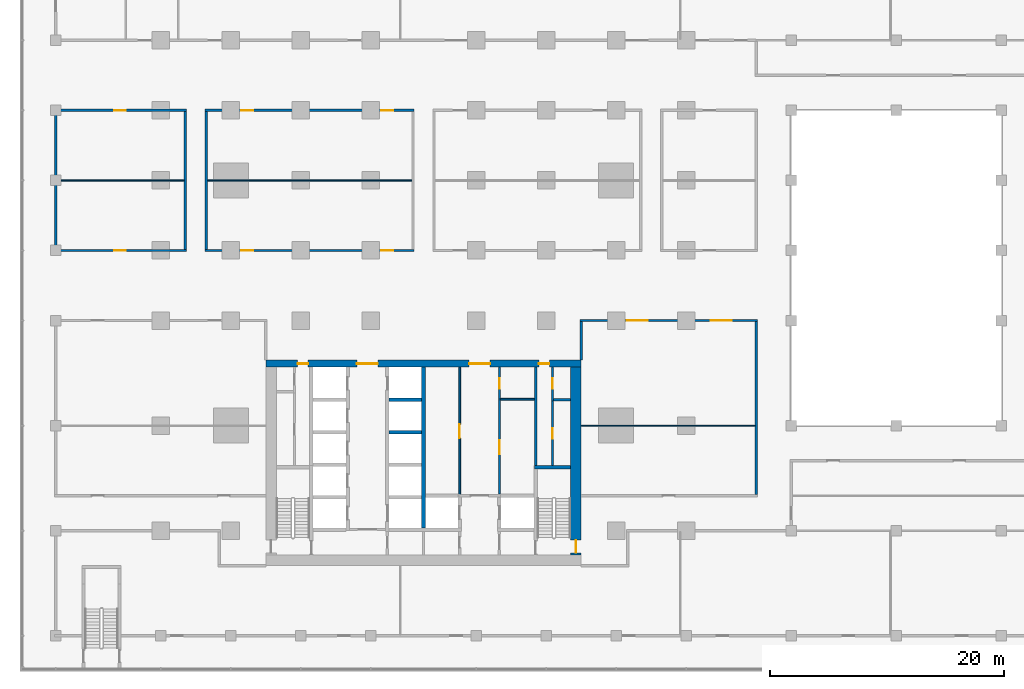
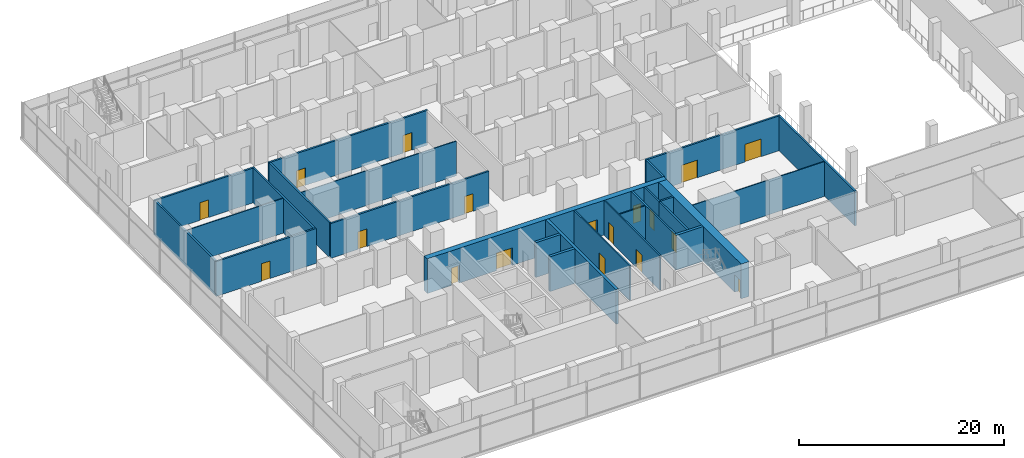
# One storey, part 15 of 22: 26 walls, 18 doors, 18 openings.
"""IFC4 building model written with IfcOpenShell, lengths in metres."""

from ifc_helpers import new_model, si_unit, direction, frame, frame_2d, origin, place, context, subcontext, project, spatial, rectangle, extrude, material, layer, layer_set, type_object, element, fill, save


model = new_model("IFC4")

# Units and contexts
model_context = context("Model", 3, precision=1e-05, world=origin(), true_north=direction((0.0, 1.0)))
body_context = subcontext(model_context, "Body", "Model", "MODEL_VIEW")
ifc_project = project(units=[si_unit("LENGTHUNIT", "METRE"), si_unit("AREAUNIT", "SQUARE_METRE"), si_unit("VOLUMEUNIT", "CUBIC_METRE"), si_unit("PLANEANGLEUNIT", "RADIAN"), si_unit("MASSUNIT", "GRAM", prefix="KILO")], contexts=[model_context])

# Site, building, storey
site_placement = place(None, origin())
site = spatial("IfcSite", under=ifc_project, at=site_placement, CompositionType="ELEMENT")
building_placement = place(site_placement, origin())
building = spatial("IfcBuilding", under=site, at=building_placement, Name="Finial Court Residences", CompositionType="ELEMENT")
storey_placement = place(building_placement, frame((0.0, 0.0, 23.5)))
storey = spatial("IfcBuildingStorey", under=building, at=storey_placement, Name="L04", CompositionType="ELEMENT", Elevation=23.5)

# Wall, openings, doors
ifc_material_1 = material(Name="Concrete C80/95", Category="concrete")
ifc_layer_1 = layer(ifc_material_1, 0.60009765625)
ifc_layer_set_1 = layer_set([ifc_layer_1], Name="Core outer wall 600 Concrete C80/95")
wall_type_1 = type_object("IfcWallType", Name="Core outer wall 600 Concrete C80/95", PredefinedType="SHEAR", material=ifc_layer_set_1)
wall_1_placement = place(storey_placement, frame((-13.5, -8.199951171875, 0.0), z_axis=(0.0, 0.0, 1.0), x_axis=(1.0, 0.0, 0.0)))
wall_1 = element("IfcWall", 1, at=wall_1_placement, inside=storey, type_object=wall_type_1, Name="Core outer wall L04-02", PredefinedType="SHEAR", context=body_context, shape_type="SweptSolid", body=[
    extrude(rectangle(XDim=27.0, YDim=0.60009765625, at=frame_2d((13.5, 0.0))), origin(), (0.0, 0.0, 1.0), 4.14990234375),
])
opening_1_placement = place(wall_1_placement, frame((7.800048828125, 0.0, 0.0)))
opening_1 = element("IfcOpeningElement", 2, at=opening_1_placement, cuts=wall_1, Name="Opening L04-C04", PredefinedType="OPENING", context=body_context, shape_type="SweptSolid", body=[
    extrude(rectangle(XDim=1.800048828125, YDim=2.10009765625, at=frame_2d((0.89990234375, 1.050048828125))), frame((0.0, 0.31005859375, 0.0), z_axis=(0.0, -1.0, 0.0), x_axis=(1.0, 0.0, 0.0)), (0.0, 0.0, 1.0), 0.6201171875),
])
opening_2_placement = place(wall_1_placement, frame((17.39990234375, 0.0, 0.0)))
opening_2 = element("IfcOpeningElement", 3, at=opening_2_placement, cuts=wall_1, Name="Opening L04-C05", PredefinedType="OPENING", context=body_context, shape_type="SweptSolid", body=[
    extrude(rectangle(XDim=1.800048828125, YDim=2.10009765625, at=frame_2d((0.89990234375, 1.050048828125))), frame((0.0, 0.31005859375, 0.0), z_axis=(0.0, -1.0, 0.0), x_axis=(1.0, 0.0, 0.0)), (0.0, 0.0, 1.0), 0.6201171875),
])
opening_3_placement = place(wall_1_placement, frame((2.72509765625, 0.0, 0.0)))
opening_3 = element("IfcOpeningElement", 4, at=opening_3_placement, cuts=wall_1, Name="Opening L04-C09", PredefinedType="OPENING", context=body_context, shape_type="SweptSolid", body=[
    extrude(rectangle(XDim=0.89990234375, YDim=2.10009765625, at=frame_2d((0.449951171875, 1.050048828125))), frame((0.0, 0.31005859375, 0.0), z_axis=(0.0, -1.0, 0.0), x_axis=(1.0, 0.0, 0.0)), (0.0, 0.0, 1.0), 0.6201171875),
])
opening_4_placement = place(wall_1_placement, frame((23.375, 0.0, 0.0)))
opening_4 = element("IfcOpeningElement", 5, at=opening_4_placement, cuts=wall_1, Name="Opening L04-C10", PredefinedType="OPENING", context=body_context, shape_type="SweptSolid", body=[
    extrude(rectangle(XDim=0.89990234375, YDim=2.10009765625, at=frame_2d((0.449951171875, 1.050048828125))), frame((0.0, 0.31005859375, 0.0), z_axis=(0.0, -1.0, 0.0), x_axis=(1.0, 0.0, 0.0)), (0.0, 0.0, 1.0), 0.6201171875),
])
ifc_material_2 = material(Name="Steel fire door", Category="steel")
door_type_1 = type_object("IfcDoorType", Name="Lift lobby door 1800 x 2100 EI 60", OperationType="DOUBLE_DOOR_SINGLE_SWING", PredefinedType="DOOR", material=ifc_material_2)
door_1_placement = place(opening_1_placement, origin())
door_1 = element("IfcDoor", 6, at=door_1_placement, inside=storey, type_object=door_type_1, Name="Lift lobby door L04-C04", OperationType="DOUBLE_DOOR_SINGLE_SWING", OverallHeight=2.10009765625, OverallWidth=1.800048828125, PredefinedType="DOOR", context=body_context, shape_type="SweptSolid", body=[
    extrude(rectangle(XDim=1.800048828125, YDim=2.10009765625, at=frame_2d((0.89990234375, 1.050048828125))), frame((0.0, 0.02490234375, 0.0), z_axis=(0.0, -1.0, 0.0), x_axis=(1.0, 0.0, 0.0)), (0.0, 0.0, 1.0), 0.050048828125),
])
fill(opening_1, door_1)
door_2_placement = place(opening_2_placement, origin())
door_2 = element("IfcDoor", 7, at=door_2_placement, inside=storey, type_object=door_type_1, Name="Lift lobby door L04-C05", OperationType="DOUBLE_DOOR_SINGLE_SWING", OverallHeight=2.10009765625, OverallWidth=1.800048828125, PredefinedType="DOOR", context=body_context, shape_type="SweptSolid", body=[
    extrude(rectangle(XDim=1.800048828125, YDim=2.10009765625, at=frame_2d((0.89990234375, 1.050048828125))), frame((0.0, 0.02490234375, 0.0), z_axis=(0.0, -1.0, 0.0), x_axis=(1.0, 0.0, 0.0)), (0.0, 0.0, 1.0), 0.050048828125),
])
fill(opening_2, door_2)
door_type_2 = type_object("IfcDoorType", Name="Riser room door 900 x 2100 EI 90", OperationType="NOTDEFINED", PredefinedType="DOOR", material=ifc_material_2)
door_3_placement = place(opening_3_placement, origin())
door_3 = element("IfcDoor", 8, at=door_3_placement, inside=storey, type_object=door_type_2, Name="Riser room door L04-C09", OperationType="SINGLE_SWING_RIGHT", OverallHeight=2.10009765625, OverallWidth=0.89990234375, PredefinedType="DOOR", context=body_context, shape_type="SweptSolid", body=[
    extrude(rectangle(XDim=0.89990234375, YDim=2.10009765625, at=frame_2d((0.449951171875, 1.050048828125))), frame((0.0, 0.02490234375, 0.0), z_axis=(0.0, -1.0, 0.0), x_axis=(1.0, 0.0, 0.0)), (0.0, 0.0, 1.0), 0.050048828125),
])
fill(opening_3, door_3)
door_4_placement = place(opening_4_placement, origin())
door_4 = element("IfcDoor", 9, at=door_4_placement, inside=storey, type_object=door_type_2, Name="Riser room door L04-C10", OperationType="SINGLE_SWING_LEFT", OverallHeight=2.10009765625, OverallWidth=0.89990234375, PredefinedType="DOOR", context=body_context, shape_type="SweptSolid", body=[
    extrude(rectangle(XDim=0.89990234375, YDim=2.10009765625, at=frame_2d((0.449951171875, 1.050048828125))), frame((0.0, 0.02490234375, 0.0), z_axis=(0.0, -1.0, 0.0), x_axis=(1.0, 0.0, 0.0)), (0.0, 0.0, 1.0), 0.050048828125),
])
fill(opening_4, door_4)

# Wall, opening, door
ifc_layer_2 = layer(ifc_material_1, 0.89990234375)
ifc_layer_set_2 = layer_set([ifc_layer_2], Name="Core outer wall 900 Concrete C80/95")
wall_type_2 = type_object("IfcWallType", Name="Core outer wall 900 Concrete C80/95", PredefinedType="SHEAR", material=ifc_layer_set_2)
wall_2_placement = place(storey_placement, frame((13.050048828125, -24.60009765625, 0.0), z_axis=(0.0, 0.0, 1.0), x_axis=(0.0, 1.0, 0.0)))
wall_2 = element("IfcWall", 10, at=wall_2_placement, inside=storey, type_object=wall_type_2, Name="Core outer wall L04-04", PredefinedType="SHEAR", context=body_context, shape_type="SweptSolid", body=[
    extrude(rectangle(XDim=16.10009765625, YDim=0.89990234375, at=frame_2d((8.050048828125, 0.0))), origin(), (0.0, 0.0, 1.0), 4.14990234375),
])
opening_5_placement = place(wall_2_placement, frame((0.199951171875, 0.0, 0.0)))
opening_5 = element("IfcOpeningElement", 11, at=opening_5_placement, cuts=wall_2, Name="Opening L04-C20", PredefinedType="OPENING", context=body_context, shape_type="SweptSolid", body=[
    extrude(rectangle(XDim=1.10009765625, YDim=2.10009765625, at=frame_2d((0.550048828125, 1.050048828125))), frame((0.0, 0.4599609375, 0.0), z_axis=(0.0, -1.0, 0.0), x_axis=(1.0, 0.0, 0.0)), (0.0, 0.0, 1.0), 0.919921875),
])
door_type_3 = type_object("IfcDoorType", Name="Stair door 1100 x 2100 EI 90", OperationType="NOTDEFINED", PredefinedType="DOOR", material=ifc_material_2)
door_5_placement = place(opening_5_placement, origin())
door_5 = element("IfcDoor", 12, at=door_5_placement, inside=storey, type_object=door_type_3, Name="Stair door L04-C20", OperationType="SINGLE_SWING_LEFT", OverallHeight=2.10009765625, OverallWidth=1.10009765625, PredefinedType="DOOR", context=body_context, shape_type="SweptSolid", body=[
    extrude(rectangle(XDim=1.10009765625, YDim=2.10009765625, at=frame_2d((0.550048828125, 1.050048828125))), frame((0.0, 0.02490234375, 0.0), z_axis=(0.0, -1.0, 0.0), x_axis=(1.0, 0.0, 0.0)), (0.0, 0.0, 1.0), 0.050048828125),
])
fill(opening_5, door_5)

# Wall
ifc_material_3 = material(Name="Fire-rated gypsum board partition")
ifc_layer_3 = layer(ifc_material_3, 0.14990234375)
ifc_layer_set_3 = layer_set([ifc_layer_3], Name="Core room partition 150 EI 60")
wall_type_3 = type_object("IfcWallType", Name="Core room partition 150 EI 60", PredefinedType="PARTITIONING", material=ifc_layer_set_3)
wall_3_placement = place(storey_placement, frame((6.574951171875, -11.25, 0.0), z_axis=(0.0, 0.0, 1.0), x_axis=(1.0, 0.0, 0.0)))
element("IfcWall", 13, at=wall_3_placement, inside=storey, type_object=wall_type_3, Name="Core partition L04-19", PredefinedType="PARTITIONING", context=body_context, shape_type="SweptSolid", body=[
    extrude(rectangle(XDim=2.925048828125, YDim=0.14990234375, at=frame_2d((1.46240234375, 0.0))), origin(), (0.0, 0.0, 1.0), 4.14990234375),
])

# Wall, opening, door
wall_4_placement = place(storey_placement, frame((3.10009765625, -19.39990234375, 0.0), z_axis=(0.0, 0.0, 1.0), x_axis=(0.0, 1.0, 0.0)))
wall_4 = element("IfcWall", 14, at=wall_4_placement, inside=storey, type_object=wall_type_3, Name="Core partition L04-32", PredefinedType="PARTITIONING", context=body_context, shape_type="SweptSolid", body=[
    extrude(rectangle(XDim=10.89990234375, YDim=0.14990234375, at=frame_2d((5.449951171875, 0.0))), origin(), (0.0, 0.0, 1.0), 4.14990234375),
])
opening_6_placement = place(wall_4_placement, frame((4.800048828125, 0.0, 0.0)))
opening_6 = element("IfcOpeningElement", 15, at=opening_6_placement, cuts=wall_4, Name="Opening L04-C14", PredefinedType="OPENING", context=body_context, shape_type="SweptSolid", body=[
    extrude(rectangle(XDim=1.199951171875, YDim=2.10009765625, at=frame_2d((0.60009765625, 1.050048828125))), frame((0.0, 0.0849609375, 0.0), z_axis=(0.0, -1.0, 0.0), x_axis=(1.0, 0.0, 0.0)), (0.0, 0.0, 1.0), 0.169921875),
])
door_type_4 = type_object("IfcDoorType", Name="Core room door 1200 x 2100 EI 60", OperationType="NOTDEFINED", PredefinedType="DOOR", material=ifc_material_2)
door_6_placement = place(opening_6_placement, origin())
door_6 = element("IfcDoor", 16, at=door_6_placement, inside=storey, type_object=door_type_4, Name="Core room door L04-C14", OperationType="SINGLE_SWING_LEFT", OverallHeight=2.10009765625, OverallWidth=1.199951171875, PredefinedType="DOOR", context=body_context, shape_type="SweptSolid", body=[
    extrude(rectangle(XDim=1.199951171875, YDim=2.10009765625, at=frame_2d((0.60009765625, 1.050048828125))), frame((0.0, 0.02490234375, 0.0), z_axis=(0.0, -1.0, 0.0), x_axis=(1.0, 0.0, 0.0)), (0.0, 0.0, 1.0), 0.050048828125),
])
fill(opening_6, door_6)

# Wall, openings, doors
wall_5_placement = place(storey_placement, frame((6.5, -8.5, 0.0), z_axis=(0.0, 0.0, 1.0), x_axis=(0.0, -1.0, 0.0)))
wall_5 = element("IfcWall", 17, at=wall_5_placement, inside=storey, type_object=wall_type_3, Name="Core partition L04-35", PredefinedType="PARTITIONING", context=body_context, shape_type="SweptSolid", body=[
    extrude(rectangle(XDim=10.85009765625, YDim=0.14990234375, at=frame_2d((5.425048828125, 0.0))), origin(), (0.0, 0.0, 1.0), 4.14990234375),
])
opening_7_placement = place(wall_5_placement, frame((6.27490234375, 0.0, 0.0)))
opening_7 = element("IfcOpeningElement", 18, at=opening_7_placement, cuts=wall_5, Name="Opening L04-C15", PredefinedType="OPENING", context=body_context, shape_type="SweptSolid", body=[
    extrude(rectangle(XDim=1.199951171875, YDim=2.10009765625, at=frame_2d((0.60009765625, 1.050048828125))), frame((0.0, 0.0849609375, 0.0), z_axis=(0.0, -1.0, 0.0), x_axis=(1.0, 0.0, 0.0)), (0.0, 0.0, 1.0), 0.169921875),
])
opening_8_placement = place(wall_5_placement, frame((0.925048828125, 0.0, 0.0)))
opening_8 = element("IfcOpeningElement", 19, at=opening_8_placement, cuts=wall_5, Name="Opening L04-C16", PredefinedType="OPENING", context=body_context, shape_type="SweptSolid", body=[
    extrude(rectangle(XDim=0.89990234375, YDim=2.10009765625, at=frame_2d((0.449951171875, 1.050048828125))), frame((0.0, 0.0849609375, 0.0), z_axis=(0.0, -1.0, 0.0), x_axis=(1.0, 0.0, 0.0)), (0.0, 0.0, 1.0), 0.169921875),
])
door_7_placement = place(opening_7_placement, origin())
door_7 = element("IfcDoor", 20, at=door_7_placement, inside=storey, type_object=door_type_4, Name="Core room door L04-C15", OperationType="SINGLE_SWING_RIGHT", OverallHeight=2.10009765625, OverallWidth=1.199951171875, PredefinedType="DOOR", context=body_context, shape_type="SweptSolid", body=[
    extrude(rectangle(XDim=1.199951171875, YDim=2.10009765625, at=frame_2d((0.60009765625, 1.050048828125))), frame((0.0, 0.02490234375, 0.0), z_axis=(0.0, -1.0, 0.0), x_axis=(1.0, 0.0, 0.0)), (0.0, 0.0, 1.0), 0.050048828125),
])
fill(opening_7, door_7)
door_type_5 = type_object("IfcDoorType", Name="Core room door 900 x 2100 EI 60", OperationType="NOTDEFINED", PredefinedType="DOOR", material=ifc_material_2)
door_8_placement = place(opening_8_placement, origin())
door_8 = element("IfcDoor", 21, at=door_8_placement, inside=storey, type_object=door_type_5, Name="Core room door L04-C16", OperationType="SINGLE_SWING_RIGHT", OverallHeight=2.10009765625, OverallWidth=0.89990234375, PredefinedType="DOOR", context=body_context, shape_type="SweptSolid", body=[
    extrude(rectangle(XDim=0.89990234375, YDim=2.10009765625, at=frame_2d((0.449951171875, 1.050048828125))), frame((0.0, 0.02490234375, 0.0), z_axis=(0.0, -1.0, 0.0), x_axis=(1.0, 0.0, 0.0)), (0.0, 0.0, 1.0), 0.050048828125),
])
fill(opening_8, door_8)

ifc_material_4 = material(Name="Gypsum board")
ifc_layer_4 = layer(ifc_material_4, 0.02490234375)
ifc_material_5 = material(Name="Acoustic mineral wool in double frame")
ifc_layer_5 = layer(ifc_material_5, 0.14990234375)
ifc_layer_6 = layer(ifc_material_4, 0.02490234375)
ifc_layer_set_4 = layer_set([ifc_layer_4, ifc_layer_5, ifc_layer_6], Name="Corridor wall 200, 1 hour")
wall_type_4 = type_object("IfcWallType", Name="Corridor wall 200, 1 hour", PredefinedType="PARTITIONING", material=ifc_layer_set_4)
wall_6_placement = place(storey_placement, frame((13.39990234375, -4.5, 0.0), z_axis=(0.0, 0.0, 1.0), x_axis=(1.0, 0.0, 0.0)))
wall_6 = element("IfcWall", 22, at=wall_6_placement, inside=storey, type_object=wall_type_4, Name="Partition L04-016", PredefinedType="PARTITIONING", context=body_context, shape_type="SweptSolid", body=[
    extrude(rectangle(XDim=15.2001953125, YDim=0.199951171875, at=frame_2d((7.60009765625, 0.0))), origin(), (0.0, 0.0, 1.0), 4.14990234375),
])
opening_9_placement = place(wall_6_placement, frame((4.0, 0.0, 0.0)))
opening_9 = element("IfcOpeningElement", 23, at=opening_9_placement, cuts=wall_6, Name="Opening L04-D015", PredefinedType="OPENING", context=body_context, shape_type="SweptSolid", body=[
    extrude(rectangle(XDim=1.800048828125, YDim=2.10009765625, at=frame_2d((0.89990234375, 1.050048828125))), frame((0.0, 0.10986328125, 0.0), z_axis=(0.0, -1.0, 0.0), x_axis=(1.0, 0.0, 0.0)), (0.0, 0.0, 1.0), 0.219970703125),
])
opening_10_placement = place(wall_6_placement, frame((11.199951171875, 0.0, 0.0)))
opening_10 = element("IfcOpeningElement", 24, at=opening_10_placement, cuts=wall_6, Name="Opening L04-D016", PredefinedType="OPENING", context=body_context, shape_type="SweptSolid", body=[
    extrude(rectangle(XDim=1.800048828125, YDim=2.10009765625, at=frame_2d((0.89990234375, 1.050048828125))), frame((0.0, 0.10986328125, 0.0), z_axis=(0.0, -1.0, 0.0), x_axis=(1.0, 0.0, 0.0)), (0.0, 0.0, 1.0), 0.219970703125),
])
ifc_material_6 = material(Name="Timber door leaf in hollow metal frame", Category="wood")
door_type_6 = type_object("IfcDoorType", Name="Fire door set 1800 x 2100, 30 minutes", OperationType="DOUBLE_DOOR_SINGLE_SWING", PredefinedType="DOOR", material=ifc_material_6)
door_9_placement = place(opening_9_placement, origin())
door_9 = element("IfcDoor", 25, at=door_9_placement, inside=storey, type_object=door_type_6, Name="Door L04-D015", OperationType="DOUBLE_DOOR_SINGLE_SWING", OverallHeight=2.10009765625, OverallWidth=1.800048828125, PredefinedType="DOOR", context=body_context, shape_type="SweptSolid", body=[
    extrude(rectangle(XDim=1.800048828125, YDim=2.10009765625, at=frame_2d((0.89990234375, 1.050048828125))), frame((0.0, 0.02490234375, 0.0), z_axis=(0.0, -1.0, 0.0), x_axis=(1.0, 0.0, 0.0)), (0.0, 0.0, 1.0), 0.050048828125),
])
fill(opening_9, door_9)
door_10_placement = place(opening_10_placement, origin())
door_10 = element("IfcDoor", 26, at=door_10_placement, inside=storey, type_object=door_type_6, Name="Door L04-D016", OperationType="DOUBLE_DOOR_SINGLE_SWING", OverallHeight=2.10009765625, OverallWidth=1.800048828125, PredefinedType="DOOR", context=body_context, shape_type="SweptSolid", body=[
    extrude(rectangle(XDim=1.800048828125, YDim=2.10009765625, at=frame_2d((0.89990234375, 1.050048828125))), frame((0.0, 0.02490234375, 0.0), z_axis=(0.0, -1.0, 0.0), x_axis=(1.0, 0.0, 0.0)), (0.0, 0.0, 1.0), 0.050048828125),
])
fill(opening_10, door_10)

# Wall, opening, door
wall_7_placement = place(storey_placement, frame((-31.60009765625, 1.5, 0.0), z_axis=(0.0, 0.0, 1.0), x_axis=(1.0, 0.0, 0.0)))
wall_7 = element("IfcWall", 27, at=wall_7_placement, inside=storey, type_object=wall_type_4, Name="Partition L04-018", PredefinedType="PARTITIONING", context=body_context, shape_type="SweptSolid", body=[
    extrude(rectangle(XDim=11.300048828125, YDim=0.199951171875, at=frame_2d((5.64990234375, 0.0))), origin(), (0.0, 0.0, 1.0), 4.14990234375),
])
opening_11_placement = place(wall_7_placement, frame((5.10009765625, 0.0, 0.0)))
opening_11 = element("IfcOpeningElement", 28, at=opening_11_placement, cuts=wall_7, Name="Opening L04-D017", PredefinedType="OPENING", context=body_context, shape_type="SweptSolid", body=[
    extrude(rectangle(XDim=1.0, YDim=2.10009765625, at=frame_2d((0.5, 1.050048828125))), frame((0.0, 0.10986328125, 0.0), z_axis=(0.0, -1.0, 0.0), x_axis=(1.0, 0.0, 0.0)), (0.0, 0.0, 1.0), 0.219970703125),
])
door_type_7 = type_object("IfcDoorType", Name="Fire door set 1000 x 2100, 30 minutes", OperationType="SINGLE_SWING_LEFT", PredefinedType="DOOR", material=ifc_material_6)
door_11_placement = place(opening_11_placement, origin())
door_11 = element("IfcDoor", 29, at=door_11_placement, inside=storey, type_object=door_type_7, Name="Door L04-D017", OperationType="SINGLE_SWING_RIGHT", OverallHeight=2.10009765625, OverallWidth=1.0, PredefinedType="DOOR", context=body_context, shape_type="SweptSolid", body=[
    extrude(rectangle(XDim=1.0, YDim=2.10009765625, at=frame_2d((0.5, 1.050048828125))), frame((0.0, 0.02490234375, 0.0), z_axis=(0.0, -1.0, 0.0), x_axis=(1.0, 0.0, 0.0)), (0.0, 0.0, 1.0), 0.050048828125),
])
fill(opening_11, door_11)

# Wall, openings, doors
wall_8_placement = place(storey_placement, frame((-18.699951171875, 1.5, 0.0), z_axis=(0.0, 0.0, 1.0), x_axis=(1.0, 0.0, 0.0)))
wall_8 = element("IfcWall", 30, at=wall_8_placement, inside=storey, type_object=wall_type_4, Name="Partition L04-019", PredefinedType="PARTITIONING", context=body_context, shape_type="SweptSolid", body=[
    extrude(rectangle(XDim=17.89990234375, YDim=0.199951171875, at=frame_2d((8.949951171875, 0.0))), origin(), (0.0, 0.0, 1.0), 4.14990234375),
])
opening_12_placement = place(wall_8_placement, frame((3.10009765625, 0.0, 0.0)))
opening_12 = element("IfcOpeningElement", 31, at=opening_12_placement, cuts=wall_8, Name="Opening L04-D018", PredefinedType="OPENING", context=body_context, shape_type="SweptSolid", body=[
    extrude(rectangle(XDim=1.0, YDim=2.10009765625, at=frame_2d((0.5, 1.050048828125))), frame((0.0, 0.10986328125, 0.0), z_axis=(0.0, -1.0, 0.0), x_axis=(1.0, 0.0, 0.0)), (0.0, 0.0, 1.0), 0.219970703125),
])
opening_13_placement = place(wall_8_placement, frame((15.10009765625, 0.0, 0.0)))
opening_13 = element("IfcOpeningElement", 32, at=opening_13_placement, cuts=wall_8, Name="Opening L04-D019", PredefinedType="OPENING", context=body_context, shape_type="SweptSolid", body=[
    extrude(rectangle(XDim=1.0, YDim=2.10009765625, at=frame_2d((0.5, 1.050048828125))), frame((0.0, 0.10986328125, 0.0), z_axis=(0.0, -1.0, 0.0), x_axis=(1.0, 0.0, 0.0)), (0.0, 0.0, 1.0), 0.219970703125),
])
door_12_placement = place(opening_12_placement, origin())
door_12 = element("IfcDoor", 33, at=door_12_placement, inside=storey, type_object=door_type_7, Name="Door L04-D018", OperationType="SINGLE_SWING_RIGHT", OverallHeight=2.10009765625, OverallWidth=1.0, PredefinedType="DOOR", context=body_context, shape_type="SweptSolid", body=[
    extrude(rectangle(XDim=1.0, YDim=2.10009765625, at=frame_2d((0.5, 1.050048828125))), frame((0.0, 0.02490234375, 0.0), z_axis=(0.0, -1.0, 0.0), x_axis=(1.0, 0.0, 0.0)), (0.0, 0.0, 1.0), 0.050048828125),
])
fill(opening_12, door_12)
door_13_placement = place(opening_13_placement, origin())
door_13 = element("IfcDoor", 34, at=door_13_placement, inside=storey, type_object=door_type_7, Name="Door L04-D019", OperationType="SINGLE_SWING_LEFT", OverallHeight=2.10009765625, OverallWidth=1.0, PredefinedType="DOOR", context=body_context, shape_type="SweptSolid", body=[
    extrude(rectangle(XDim=1.0, YDim=2.10009765625, at=frame_2d((0.5, 1.050048828125))), frame((0.0, 0.02490234375, 0.0), z_axis=(0.0, -1.0, 0.0), x_axis=(1.0, 0.0, 0.0)), (0.0, 0.0, 1.0), 0.050048828125),
])
fill(opening_13, door_13)

# Wall, opening, door
wall_9_placement = place(storey_placement, frame((-31.60009765625, 13.5, 0.0), z_axis=(0.0, 0.0, 1.0), x_axis=(1.0, 0.0, 0.0)))
wall_9 = element("IfcWall", 35, at=wall_9_placement, inside=storey, type_object=wall_type_4, Name="Partition L04-026", PredefinedType="PARTITIONING", context=body_context, shape_type="SweptSolid", body=[
    extrude(rectangle(XDim=11.300048828125, YDim=0.199951171875, at=frame_2d((5.64990234375, 0.0))), origin(), (0.0, 0.0, 1.0), 4.14990234375),
])
opening_14_placement = place(wall_9_placement, frame((5.10009765625, 0.0, 0.0)))
opening_14 = element("IfcOpeningElement", 36, at=opening_14_placement, cuts=wall_9, Name="Opening L04-D023", PredefinedType="OPENING", context=body_context, shape_type="SweptSolid", body=[
    extrude(rectangle(XDim=1.0, YDim=2.10009765625, at=frame_2d((0.5, 1.050048828125))), frame((0.0, 0.10986328125, 0.0), z_axis=(0.0, -1.0, 0.0), x_axis=(1.0, 0.0, 0.0)), (0.0, 0.0, 1.0), 0.219970703125),
])
door_14_placement = place(opening_14_placement, origin())
door_14 = element("IfcDoor", 37, at=door_14_placement, inside=storey, type_object=door_type_7, Name="Door L04-D023", OperationType="SINGLE_SWING_RIGHT", OverallHeight=2.10009765625, OverallWidth=1.0, PredefinedType="DOOR", context=body_context, shape_type="SweptSolid", body=[
    extrude(rectangle(XDim=1.0, YDim=2.10009765625, at=frame_2d((0.5, 1.050048828125))), frame((0.0, 0.02490234375, 0.0), z_axis=(0.0, -1.0, 0.0), x_axis=(1.0, 0.0, 0.0)), (0.0, 0.0, 1.0), 0.050048828125),
])
fill(opening_14, door_14)

# Wall, openings, doors
wall_10_placement = place(storey_placement, frame((-18.699951171875, 13.5, 0.0), z_axis=(0.0, 0.0, 1.0), x_axis=(1.0, 0.0, 0.0)))
wall_10 = element("IfcWall", 38, at=wall_10_placement, inside=storey, type_object=wall_type_4, Name="Partition L04-027", PredefinedType="PARTITIONING", context=body_context, shape_type="SweptSolid", body=[
    extrude(rectangle(XDim=17.89990234375, YDim=0.199951171875, at=frame_2d((8.949951171875, 0.0))), origin(), (0.0, 0.0, 1.0), 4.14990234375),
])
opening_15_placement = place(wall_10_placement, frame((3.10009765625, 0.0, 0.0)))
opening_15 = element("IfcOpeningElement", 39, at=opening_15_placement, cuts=wall_10, Name="Opening L04-D024", PredefinedType="OPENING", context=body_context, shape_type="SweptSolid", body=[
    extrude(rectangle(XDim=1.0, YDim=2.10009765625, at=frame_2d((0.5, 1.050048828125))), frame((0.0, 0.10986328125, 0.0), z_axis=(0.0, -1.0, 0.0), x_axis=(1.0, 0.0, 0.0)), (0.0, 0.0, 1.0), 0.219970703125),
])
opening_16_placement = place(wall_10_placement, frame((15.10009765625, 0.0, 0.0)))
opening_16 = element("IfcOpeningElement", 40, at=opening_16_placement, cuts=wall_10, Name="Opening L04-D025", PredefinedType="OPENING", context=body_context, shape_type="SweptSolid", body=[
    extrude(rectangle(XDim=1.0, YDim=2.10009765625, at=frame_2d((0.5, 1.050048828125))), frame((0.0, 0.10986328125, 0.0), z_axis=(0.0, -1.0, 0.0), x_axis=(1.0, 0.0, 0.0)), (0.0, 0.0, 1.0), 0.219970703125),
])
door_15_placement = place(opening_15_placement, origin())
door_15 = element("IfcDoor", 41, at=door_15_placement, inside=storey, type_object=door_type_7, Name="Door L04-D024", OperationType="SINGLE_SWING_LEFT", OverallHeight=2.10009765625, OverallWidth=1.0, PredefinedType="DOOR", context=body_context, shape_type="SweptSolid", body=[
    extrude(rectangle(XDim=1.0, YDim=2.10009765625, at=frame_2d((0.5, 1.050048828125))), frame((0.0, 0.02490234375, 0.0), z_axis=(0.0, -1.0, 0.0), x_axis=(1.0, 0.0, 0.0)), (0.0, 0.0, 1.0), 0.050048828125),
])
fill(opening_15, door_15)
door_16_placement = place(opening_16_placement, origin())
door_16 = element("IfcDoor", 42, at=door_16_placement, inside=storey, type_object=door_type_7, Name="Door L04-D025", OperationType="SINGLE_SWING_RIGHT", OverallHeight=2.10009765625, OverallWidth=1.0, PredefinedType="DOOR", context=body_context, shape_type="SweptSolid", body=[
    extrude(rectangle(XDim=1.0, YDim=2.10009765625, at=frame_2d((0.5, 1.050048828125))), frame((0.0, 0.02490234375, 0.0), z_axis=(0.0, -1.0, 0.0), x_axis=(1.0, 0.0, 0.0)), (0.0, 0.0, 1.0), 0.050048828125),
])
fill(opening_16, door_16)

# Walls
for number, where, z_axis, x_axis, name in (
    (43, (-31.5, 1.60009765625, 0.0), (0.0, 0.0, 1.0), (0.0, 1.0, 0.0), "Partition L04-042"),
    (44, (-20.39990234375, 1.60009765625, 0.0), (0.0, 0.0, 1.0), (0.0, 1.0, 0.0), "Partition L04-046"),
    (45, (-18.60009765625, 1.60009765625, 0.0), (0.0, 0.0, 1.0), (0.0, 1.0, 0.0), "Partition L04-047"),
):
    element("IfcWall", number, at=place(storey_placement, frame(where, z_axis=z_axis, x_axis=x_axis)), inside=storey, type_object=wall_type_4, Name=name, PredefinedType="PARTITIONING", context=body_context, shape_type="SweptSolid", body=[
        extrude(rectangle(XDim=11.7998046875, YDim=0.199951171875, at=frame_2d((5.89990234375, 0.0))), origin(), (0.0, 0.0, 1.0), 4.14990234375),
    ])
wall_11_placement = place(storey_placement, frame((13.5, -7.89990234375, 0.0), z_axis=(0.0, 0.0, 1.0), x_axis=(0.0, 1.0, 0.0)))
element("IfcWall", 46, at=wall_11_placement, inside=storey, type_object=wall_type_4, Name="Partition L04-056", PredefinedType="PARTITIONING", context=body_context, shape_type="SweptSolid", body=[
    extrude(rectangle(XDim=3.2998046875, YDim=0.199951171875, at=frame_2d((1.64990234375, 0.0))), origin(), (0.0, 0.0, 1.0), 4.14990234375),
])
wall_12_placement = place(storey_placement, frame((28.5, -19.39990234375, 0.0), z_axis=(0.0, 0.0, 1.0), x_axis=(0.0, 1.0, 0.0)))
element("IfcWall", 47, at=wall_12_placement, inside=storey, type_object=wall_type_4, Name="Partition L04-063", PredefinedType="PARTITIONING", context=body_context, shape_type="SweptSolid", body=[
    extrude(rectangle(XDim=14.7998046875, YDim=0.199951171875, at=frame_2d((7.39990234375, 0.0))), origin(), (0.0, 0.0, 1.0), 4.14990234375),
])
ifc_layer_7 = layer(ifc_material_4, 0.012451171875)
ifc_material_7 = material(Name="Mineral wool in light-gauge frame")
ifc_layer_8 = layer(ifc_material_7, 0.074951171875)
ifc_layer_9 = layer(ifc_material_4, 0.012451171875)
ifc_layer_set_5 = layer_set([ifc_layer_7, ifc_layer_8, ifc_layer_9], Name="Gypsum board partition 100")
wall_type_5 = type_object("IfcWallType", Name="Gypsum board partition 100", PredefinedType="PARTITIONING", material=ifc_layer_set_5)
wall_13_placement = place(storey_placement, frame((13.5, -13.5, 0.0), z_axis=(0.0, 0.0, 1.0), x_axis=(1.0, 0.0, 0.0)))
element("IfcWall", 48, at=wall_13_placement, inside=storey, type_object=wall_type_5, Name="Partition L04-014", PredefinedType="PARTITIONING", context=body_context, shape_type="SweptSolid", body=[
    extrude(rectangle(XDim=14.89990234375, YDim=0.10009765625, at=frame_2d((7.449951171875, 0.0))), origin(), (0.0, 0.0, 1.0), 4.14990234375),
])
wall_14_placement = place(storey_placement, frame((-31.39990234375, 7.5, 0.0), z_axis=(0.0, 0.0, 1.0), x_axis=(1.0, 0.0, 0.0)))
element("IfcWall", 49, at=wall_14_placement, inside=storey, type_object=wall_type_5, Name="Partition L04-022", PredefinedType="PARTITIONING", context=body_context, shape_type="SweptSolid", body=[
    extrude(rectangle(XDim=10.89990234375, YDim=0.10009765625, at=frame_2d((5.449951171875, 0.0))), origin(), (0.0, 0.0, 1.0), 4.14990234375),
])
wall_15_placement = place(storey_placement, frame((-18.5, 7.5, 0.0), z_axis=(0.0, 0.0, 1.0), x_axis=(1.0, 0.0, 0.0)))
element("IfcWall", 50, at=wall_15_placement, inside=storey, type_object=wall_type_5, Name="Partition L04-023", PredefinedType="PARTITIONING", context=body_context, shape_type="SweptSolid", body=[
    extrude(rectangle(XDim=17.5, YDim=0.10009765625, at=frame_2d((8.75, 0.0))), origin(), (0.0, 0.0, 1.0), 4.14990234375),
])
ifc_layer_10 = layer(ifc_material_1, 0.300048828125)
ifc_layer_set_6 = layer_set([ifc_layer_10], Name="Lift shaft and stair wall 300 Concrete C80/95")
wall_type_6 = type_object("IfcWallType", Name="Lift shaft and stair wall 300 Concrete C80/95", PredefinedType="SHEAR", material=ifc_layer_set_6)
wall_16_placement = place(storey_placement, frame((9.5, -17.050048828125, 0.0), z_axis=(0.0, 0.0, 1.0), x_axis=(1.0, 0.0, 0.0)))
element("IfcWall", 51, at=wall_16_placement, inside=storey, type_object=wall_type_6, Name="Core wall L04-11", PredefinedType="SHEAR", context=body_context, shape_type="SweptSolid", body=[
    extrude(rectangle(XDim=3.10009765625, YDim=0.300048828125, at=frame_2d((1.550048828125, 0.0))), origin(), (0.0, 0.0, 1.0), 4.14990234375),
])
for number, where, z_axis, x_axis, name in (
    (52, (-2.949951171875, -14.06005859375, 0.0), (0.0, 0.0, 1.0), (1.0, 0.0, 0.0), "Core wall L04-15"),
    (53, (-2.949951171875, -11.280029296875, 0.0), (0.0, 0.0, 1.0), (1.0, 0.0, 0.0), "Core wall L04-18"),
):
    element("IfcWall", number, at=place(storey_placement, frame(where, z_axis=z_axis, x_axis=x_axis)), inside=storey, type_object=wall_type_6, Name=name, PredefinedType="SHEAR", context=body_context, shape_type="SweptSolid", body=[
        extrude(rectangle(XDim=2.800048828125, YDim=0.300048828125, at=frame_2d((1.39990234375, 0.0))), origin(), (0.0, 0.0, 1.0), 4.14990234375),
    ])
wall_17_placement = place(storey_placement, frame((0.0, -22.25, 0.0), z_axis=(0.0, 0.0, 1.0), x_axis=(0.0, 1.0, 0.0)))
element("IfcWall", 54, at=wall_17_placement, inside=storey, type_object=wall_type_6, Name="Core wall L04-29", PredefinedType="SHEAR", context=body_context, shape_type="SweptSolid", body=[
    extrude(rectangle(XDim=13.75, YDim=0.300048828125, at=frame_2d((6.875, 0.0))), origin(), (0.0, 0.0, 1.0), 4.14990234375),
])
ifc_layer_11 = layer(ifc_material_3, 0.199951171875)
ifc_layer_set_7 = layer_set([ifc_layer_11], Name="Riser room wall 200 EI 120")
wall_type_7 = type_object("IfcWallType", Name="Riser room wall 200 EI 120", PredefinedType="PARTITIONING", material=ifc_layer_set_7)
wall_18_placement = place(storey_placement, frame((11.14990234375, -11.300048828125, 0.0), z_axis=(0.0, 0.0, 1.0), x_axis=(1.0, 0.0, 0.0)))
element("IfcWall", 55, at=wall_18_placement, inside=storey, type_object=wall_type_7, Name="Core partition L04-16", PredefinedType="PARTITIONING", context=body_context, shape_type="SweptSolid", body=[
    extrude(rectangle(XDim=1.4501953125, YDim=0.199951171875, at=frame_2d((0.72509765625, 0.0))), origin(), (0.0, 0.0, 1.0), 4.14990234375),
])

# Wall, opening, door
wall_19_placement = place(storey_placement, frame((11.050048828125, -8.5, 0.0), z_axis=(0.0, 0.0, 1.0), x_axis=(0.0, -1.0, 0.0)))
wall_19 = element("IfcWall", 56, at=wall_19_placement, inside=storey, type_object=wall_type_7, Name="Core partition L04-39", PredefinedType="PARTITIONING", context=body_context, shape_type="SweptSolid", body=[
    extrude(rectangle(XDim=2.89990234375, YDim=0.199951171875, at=frame_2d((1.449951171875, 0.0))), origin(), (0.0, 0.0, 1.0), 4.14990234375),
])
opening_17_placement = place(wall_19_placement, frame((0.949951171875, 0.0, 0.0)))
opening_17 = element("IfcOpeningElement", 57, at=opening_17_placement, cuts=wall_19, Name="Opening L04-C08", PredefinedType="OPENING", context=body_context, shape_type="SweptSolid", body=[
    extrude(rectangle(XDim=0.89990234375, YDim=2.10009765625, at=frame_2d((0.449951171875, 1.050048828125))), frame((0.0, 0.10986328125, 0.0), z_axis=(0.0, -1.0, 0.0), x_axis=(1.0, 0.0, 0.0)), (0.0, 0.0, 1.0), 0.219970703125),
])
door_17_placement = place(opening_17_placement, origin())
door_17 = element("IfcDoor", 58, at=door_17_placement, inside=storey, type_object=door_type_2, Name="Riser room door L04-C08", OperationType="SINGLE_SWING_RIGHT", OverallHeight=2.10009765625, OverallWidth=0.89990234375, PredefinedType="DOOR", context=body_context, shape_type="SweptSolid", body=[
    extrude(rectangle(XDim=0.89990234375, YDim=2.10009765625, at=frame_2d((0.449951171875, 1.050048828125))), frame((0.0, 0.02490234375, 0.0), z_axis=(0.0, -1.0, 0.0), x_axis=(1.0, 0.0, 0.0)), (0.0, 0.0, 1.0), 0.050048828125),
])
fill(opening_17, door_17)

# Wall
ifc_layer_12 = layer(ifc_material_3, 0.199951171875)
ifc_layer_set_8 = layer_set([ifc_layer_12], Name="Stair passage wall 200 EI 180")
wall_type_8 = type_object("IfcWallType", Name="Stair passage wall 200 EI 180", PredefinedType="PARTITIONING", material=ifc_layer_set_8)
wall_20_placement = place(storey_placement, frame((9.60009765625, -16.89990234375, 0.0), z_axis=(0.0, 0.0, 1.0), x_axis=(0.0, 1.0, 0.0)))
element("IfcWall", 59, at=wall_20_placement, inside=storey, type_object=wall_type_8, Name="Core partition L04-37", PredefinedType="PARTITIONING", context=body_context, shape_type="SweptSolid", body=[
    extrude(rectangle(XDim=8.39990234375, YDim=0.199951171875, at=frame_2d((4.199951171875, 0.0))), origin(), (0.0, 0.0, 1.0), 4.14990234375),
])

# Wall, opening, door
wall_21_placement = place(storey_placement, frame((11.050048828125, -11.199951171875, 0.0), z_axis=(0.0, 0.0, 1.0), x_axis=(0.0, -1.0, 0.0)))
wall_21 = element("IfcWall", 60, at=wall_21_placement, inside=storey, type_object=wall_type_8, Name="Core partition L04-38", PredefinedType="PARTITIONING", context=body_context, shape_type="SweptSolid", body=[
    extrude(rectangle(XDim=5.699951171875, YDim=0.199951171875, at=frame_2d((2.85009765625, 0.0))), origin(), (0.0, 0.0, 1.0), 4.14990234375),
])
opening_18_placement = place(wall_21_placement, frame((2.52490234375, 0.0, 0.0)))
opening_18 = element("IfcOpeningElement", 61, at=opening_18_placement, cuts=wall_21, Name="Opening L04-C13", PredefinedType="OPENING", context=body_context, shape_type="SweptSolid", body=[
    extrude(rectangle(XDim=0.89990234375, YDim=2.10009765625, at=frame_2d((0.449951171875, 1.050048828125))), frame((0.0, 0.10986328125, 0.0), z_axis=(0.0, -1.0, 0.0), x_axis=(1.0, 0.0, 0.0)), (0.0, 0.0, 1.0), 0.219970703125),
])
door_18_placement = place(opening_18_placement, origin())
door_18 = element("IfcDoor", 62, at=door_18_placement, inside=storey, type_object=door_type_5, Name="Core room door L04-C13", OperationType="SINGLE_SWING_RIGHT", OverallHeight=2.10009765625, OverallWidth=0.89990234375, PredefinedType="DOOR", context=body_context, shape_type="SweptSolid", body=[
    extrude(rectangle(XDim=0.89990234375, YDim=2.10009765625, at=frame_2d((0.449951171875, 1.050048828125))), frame((0.0, 0.02490234375, 0.0), z_axis=(0.0, -1.0, 0.0), x_axis=(1.0, 0.0, 0.0)), (0.0, 0.0, 1.0), 0.050048828125),
])
fill(opening_18, door_18)

save(model, "model.ifc")
